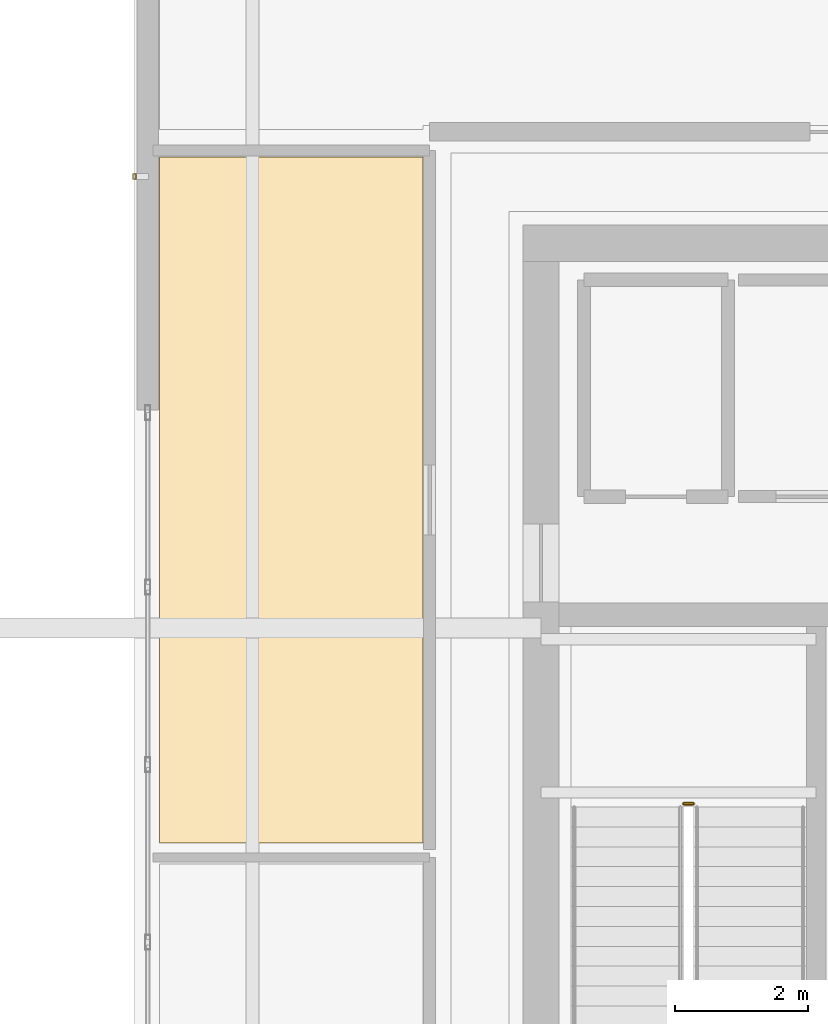
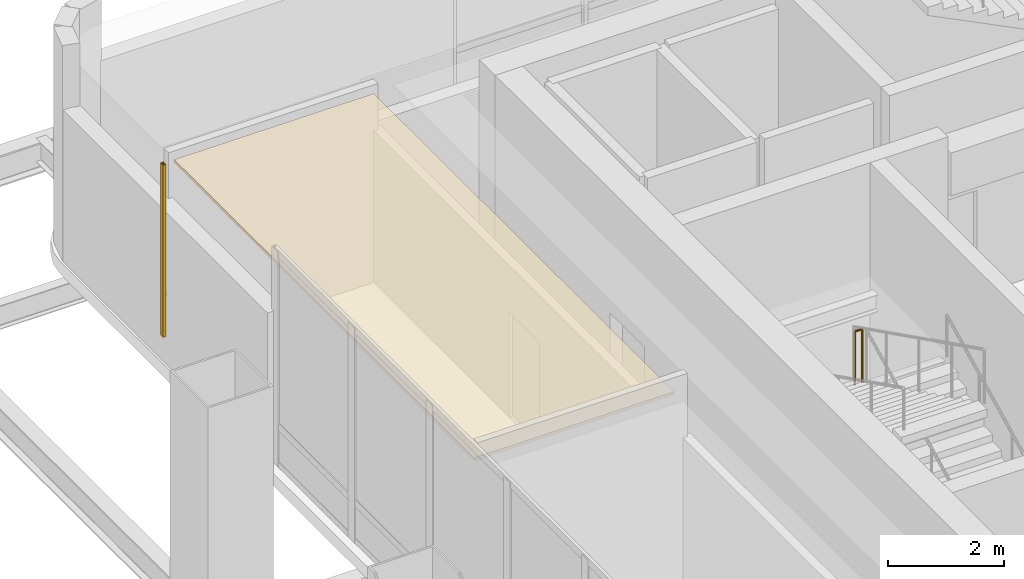
# One storey, part 26 of 33: 1 covering, 1 railing, 1 shading device.
"""IFC4 building model written with IfcOpenShell, lengths in metres."""

from ifc_helpers import new_model, si_unit, direction, frame, origin, origin_2d, place, context, subcontext, project, spatial, polyline, hollow_rectangle, circle, outline, extrude, material, layer, layer_set, material_profile, profile_set, type_object, element, save


model = new_model("IFC4")

# Units and contexts
model_context = context("Model", 3, precision=1e-05, world=origin(), true_north=direction((0.0, 1.0)))
body_context = subcontext(model_context, "Body", "Model", "MODEL_VIEW")
ifc_project = project(units=[si_unit("LENGTHUNIT", "METRE"), si_unit("AREAUNIT", "SQUARE_METRE"), si_unit("VOLUMEUNIT", "CUBIC_METRE"), si_unit("PLANEANGLEUNIT", "RADIAN"), si_unit("MASSUNIT", "GRAM", prefix="KILO")], contexts=[model_context])

# Site, building, storey
site_placement = place(None, origin())
site = spatial("IfcSite", under=ifc_project, at=site_placement, CompositionType="ELEMENT")
building_placement = place(site_placement, origin())
building = spatial("IfcBuilding", under=site, at=building_placement, Name="Punatoya Terracotta Tower", CompositionType="ELEMENT")
storey_placement = place(building_placement, frame((0.0, 0.0, 246.60009765625)))
storey = spatial("IfcBuildingStorey", under=building, at=storey_placement, Name="L58", CompositionType="ELEMENT", Elevation=246.60009765625)

# Covering
ifc_material_1 = material(Name="Acoustic Mineral Fibre Ceiling")
ifc_layer = layer(ifc_material_1, 0.06005859375)
ifc_layer_set = layer_set([ifc_layer], Name="Acoustic Mineral Fibre Ceiling")
covering_type = type_object("IfcCoveringType", Name="COV-CEIL-60", PredefinedType="CEILING", material=ifc_layer_set)
covering_placement = place(storey_placement, frame((0.0, 0.0, 3.929931640625)))
element("IfcCovering", 1, at=covering_placement, inside=storey, type_object=covering_type, Name="L58 Barista Tea Pantry Acoustic Ceiling", PredefinedType="CEILING", context=body_context, shape_type="SweptSolid", body=[
    extrude(outline(polyline([(-15.949951171875, 10.5), (-15.949951171875, 0.159912109375), (-11.97998046875, 0.159912109375), (-11.97998046875, 10.5), (-15.949951171875, 10.5)])), origin(), (0.0, 0.0, 1.0), 0.06005859375),
])

# Railing
ifc_material_2 = material(Name="Steel S355", Category="steel")
railing_type = type_object("IfcRailingType", Name="RLG-GRD-1150", PredefinedType="GUARDRAIL", material=ifc_material_2)
railing_placement = place(storey_placement, frame((-7.89990234375, 0.75, 2.39990234375)))
element("IfcRailing", 2, at=railing_placement, inside=storey, type_object=railing_type, Name="L58 ST-1 stair guard 2", PredefinedType="GUARDRAIL", context=body_context, shape_type="SweptSolid", body=[
    extrude(circle(Radius=0.02392578125, at=origin_2d()), frame((0.0, 0.0, 1.1259765625), z_axis=(-1.0, 0.0, 0.0), x_axis=(0.0, -1.0, 0.0)), (0.0, 0.0, 1.0), 0.150146484375),
    extrude(circle(Radius=0.02099609375, at=origin_2d()), origin(), (0.0, 0.0, 1.0), 1.101806640625),
    extrude(circle(Radius=0.02099609375, at=origin_2d()), frame((-0.150146484375, 0.0, 0.0)), (0.0, 0.0, 1.0), 1.101806640625),
])

# Shading device
ifc_material_3 = material(Name="Architectural Fired Terracotta", Category="masonry")
ifc_material_profile = material_profile(ifc_material_3, hollow_rectangle(XDim=0.06005859375, YDim=0.090087890625, WallThickness=0.013916015625, at=origin_2d()))
ifc_profile_set = profile_set([ifc_material_profile], Name="Architectural Fired Terracotta")
shading_device_type = type_object("IfcShadingDeviceType", Name="SHD-JALI-90", PredefinedType="JALOUSIE", material=ifc_profile_set)
shading_device_placement = place(storey_placement, frame((-16.330078125, 10.20849609375, 0.599853515625), z_axis=(0.0, 0.0, 1.0), x_axis=(1.0, 0.0, 0.0)))
element("IfcShadingDevice", 3, at=shading_device_placement, inside=storey, type_object=shading_device_type, Name="L58 Braced Bay Terracotta Jali Fin W1", PredefinedType="JALOUSIE", context=body_context, shape_type="SweptSolid", body=[
    extrude(hollow_rectangle(XDim=0.06005859375, YDim=0.090087890625, WallThickness=0.013916015625, at=origin_2d()), origin(), (0.0, 0.0, 1.0), 3.6201171875),
])

save(model, "model.ifc")
